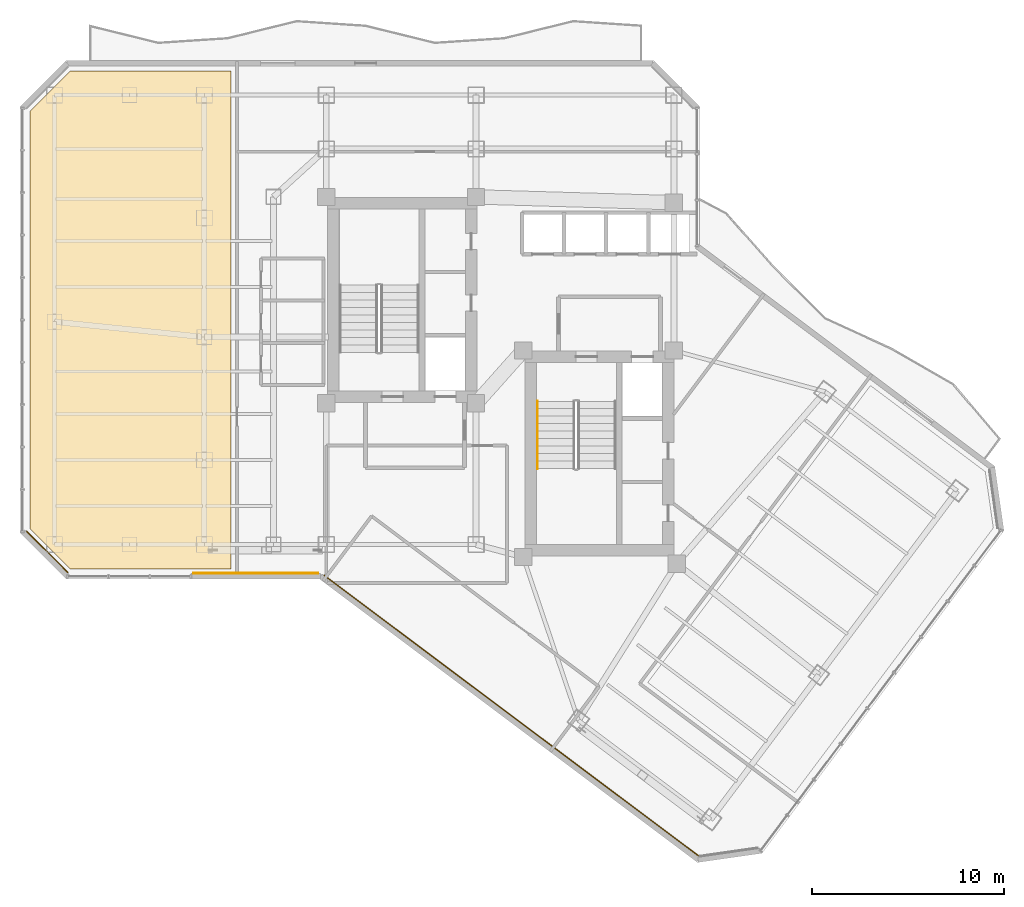
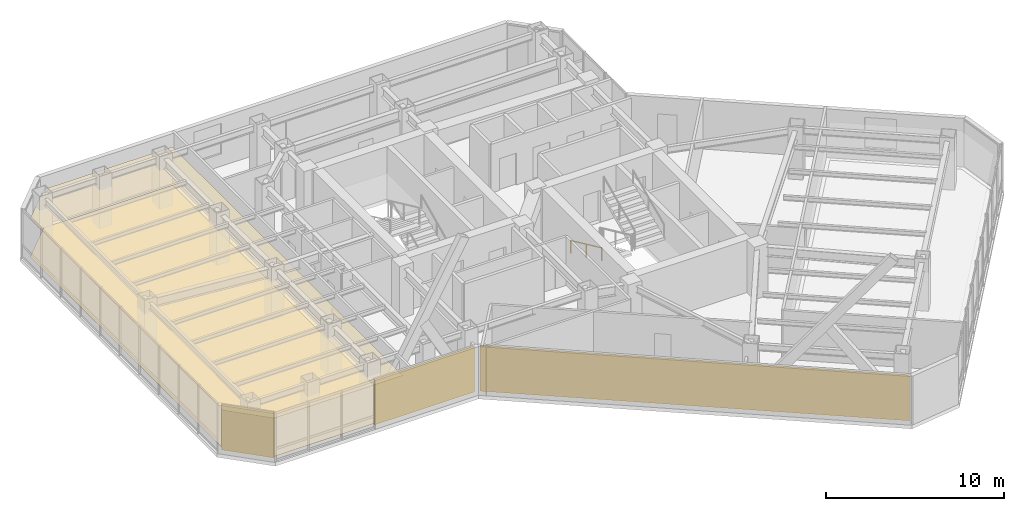
# One storey, part 24 of 26: 5 coverings, 1 railing.
"""IFC4 building model written with IfcOpenShell, lengths in metres."""

from ifc_helpers import new_model, si_unit, direction, frame, origin, origin_2d, place, context, subcontext, project, spatial, polyline, rectangle, circle, outline, extrude, material, layer, layer_set, type_object, element, save


model = new_model("IFC4")

# Units and contexts
model_context = context("Model", 3, precision=1e-05, world=origin(), true_north=direction((0.0, 1.0)))
body_context = subcontext(model_context, "Body", "Model", "MODEL_VIEW")
ifc_project = project(units=[si_unit("LENGTHUNIT", "METRE"), si_unit("AREAUNIT", "SQUARE_METRE"), si_unit("VOLUMEUNIT", "CUBIC_METRE"), si_unit("PLANEANGLEUNIT", "RADIAN"), si_unit("MASSUNIT", "GRAM", prefix="KILO")], contexts=[model_context])

# Site, building, storey
site_placement = place(None, origin())
site = spatial("IfcSite", under=ifc_project, at=site_placement, CompositionType="ELEMENT")
building_placement = place(site_placement, origin())
building = spatial("IfcBuilding", under=site, at=building_placement, Name="Hatsunagi Terrace Concourse", CompositionType="ELEMENT")
storey_placement = place(building_placement, frame((0.0, 0.0, 134.85009765625)))
storey = spatial("IfcBuildingStorey", under=building, at=storey_placement, Name="L35", CompositionType="ELEMENT", Elevation=134.85009765625)

# Coverings
ifc_material_1 = material(Name="Acoustic mineral board", Category="gypsum")
ifc_layer_1 = layer(ifc_material_1, 0.02001953125)
ifc_layer_set_1 = layer_set([ifc_layer_1], Name="AcousticMineralCeiling_20")
covering_type_1 = type_object("IfcCoveringType", Name="AcousticMineralCeiling_20", PredefinedType="CEILING", material=ifc_layer_set_1)
covering_1_placement = place(storey_placement, frame((0.0, 0.0, 2.6298828125)))
element("IfcCovering", 1, at=covering_1_placement, inside=storey, type_object=covering_type_1, Name="Suspended Ceiling L35-1", PredefinedType="CEILING", context=body_context, shape_type="SweptSolid", body=[
    extrude(outline(polyline([(10.1298828125, 26.02001953125), (12.219970703125, 23.929931640625), (20.60009765625, 23.929931640625), (20.60009765625, 49.8701171875), (12.219970703125, 49.8701171875), (10.1298828125, 47.780029296875), (10.1298828125, 26.02001953125)])), origin(), (0.0, 0.0, 1.0), 0.02001953125),
])
ifc_material_2 = material(Name="Hardwood timber", Category="wood")
ifc_layer_2 = layer(ifc_material_2, 0.014892578125)
ifc_layer_set_2 = layer_set([ifc_layer_2], Name="HardwoodTimberFlooring_15")
covering_type_2 = type_object("IfcCoveringType", Name="HardwoodTimberFlooring_15", PredefinedType="FLOORING", material=ifc_layer_set_2)
covering_2_placement = place(storey_placement, origin())
element("IfcCovering", 2, at=covering_2_placement, inside=storey, type_object=covering_type_2, Name="Finished Flooring L35-1", PredefinedType="FLOORING", context=body_context, shape_type="SweptSolid", body=[
    extrude(outline(polyline([(10.1298828125, 26.02001953125), (12.219970703125, 23.929931640625), (20.60009765625, 23.929931640625), (20.60009765625, 49.8701171875), (12.219970703125, 49.8701171875), (10.1298828125, 47.780029296875), (10.1298828125, 26.02001953125)])), origin(), (0.0, 0.0, 1.0), 0.014892578125),
])

# Railing
ifc_material_3 = material(Name="Stainless steel", Category="steel")
ifc_layer_3 = layer(ifc_material_3, 0.044921875)
ifc_layer_set_3 = layer_set([ifc_layer_3], Name="StairPitchHandrail_Tower2000")
railing_type = type_object("IfcRailingType", Name="StairPitchHandrail_Tower2000", PredefinedType="HANDRAIL", material=ifc_layer_set_3)
railing_placement = place(storey_placement, frame((36.550048828125, 32.659912109375, 0.179931640625)))
element("IfcRailing", 3, at=railing_placement, inside=storey, type_object=railing_type, Name="L35 ST-B stair handrail 1", PredefinedType="HANDRAIL", context=body_context, shape_type="SweptSolid", body=[
    extrude(circle(Radius=0.02392578125, at=origin_2d()), frame((0.0, 0.0, 0.8759765625), z_axis=(0.0, -0.907972323039, 0.419030142823), x_axis=(1.0, 0.0, 0.0)), (0.0, 0.0, 1.0), 3.86572265625),
    extrude(circle(Radius=0.02099609375, at=origin_2d()), origin(), (0.0, 0.0, 1.0), 0.851806640625),
    extrude(circle(Radius=0.02099609375, at=origin_2d()), frame((0.0, -1.7548828125, 0.81005859375)), (0.0, 0.0, 1.0), 0.851806640625),
    extrude(circle(Radius=0.02099609375, at=origin_2d()), frame((0.0, -3.510009765625, 1.619873046875)), (0.0, 0.0, 1.0), 0.851806640625),
])

# Coverings
ifc_material_4 = material(Name="Unglazed Warm Terracotta Rainscreen Tile", Category="masonry")
ifc_layer_4 = layer(ifc_material_4, 0.044921875)
ifc_layer_set_4 = layer_set([ifc_layer_4], Name="TerracottaRainscreenCladding_45")
covering_type_3 = type_object("IfcCoveringType", Name="TerracottaRainscreenCladding_45", PredefinedType="CLADDING", material=ifc_layer_set_4)
covering_3_placement = place(storey_placement, frame((35.179931640625, 16.29296875, 0.099853515625), z_axis=(0.0, 0.0, 1.0), x_axis=(-0.800005211305, 0.599993051531, 0.0)))
element("IfcCovering", 4, at=covering_3_placement, inside=storey, type_object=covering_type_3, Name="Terracotta Rainscreen Cladding L35-05", PredefinedType="CLADDING", context=body_context, shape_type="SweptSolid", body=[
    extrude(rectangle(XDim=24.34912109375, YDim=0.044921875, at=origin_2d()), origin(), (0.0, 0.0, 1.0), 3.14990234375),
])
covering_4_placement = place(storey_placement, frame((21.873046875, 23.701904296875, 0.099853515625), z_axis=(0.0, 0.0, 1.0), x_axis=(-1.0, 0.0, 0.0)))
element("IfcCovering", 5, at=covering_4_placement, inside=storey, type_object=covering_type_3, Name="Terracotta Rainscreen Cladding L35-06", PredefinedType="CLADDING", context=body_context, shape_type="SweptSolid", body=[
    extrude(rectangle(XDim=6.507080078125, YDim=0.044921875, at=origin_2d()), origin(), (0.0, 0.0, 1.0), 3.14990234375),
])
covering_5_placement = place(storey_placement, frame((11.013916015625, 24.81396484375, 0.099853515625), z_axis=(0.0, 0.0, 1.0), x_axis=(-0.707106781187, 0.707106781187, 0.0)))
element("IfcCovering", 6, at=covering_5_placement, inside=storey, type_object=covering_type_3, Name="Terracotta Rainscreen Cladding L35-08", PredefinedType="CLADDING", context=body_context, shape_type="SweptSolid", body=[
    extrude(rectangle(XDim=3.0380859375, YDim=0.044921875, at=origin_2d()), origin(), (0.0, 0.0, 1.0), 3.14990234375),
])

save(model, "model.ifc")
